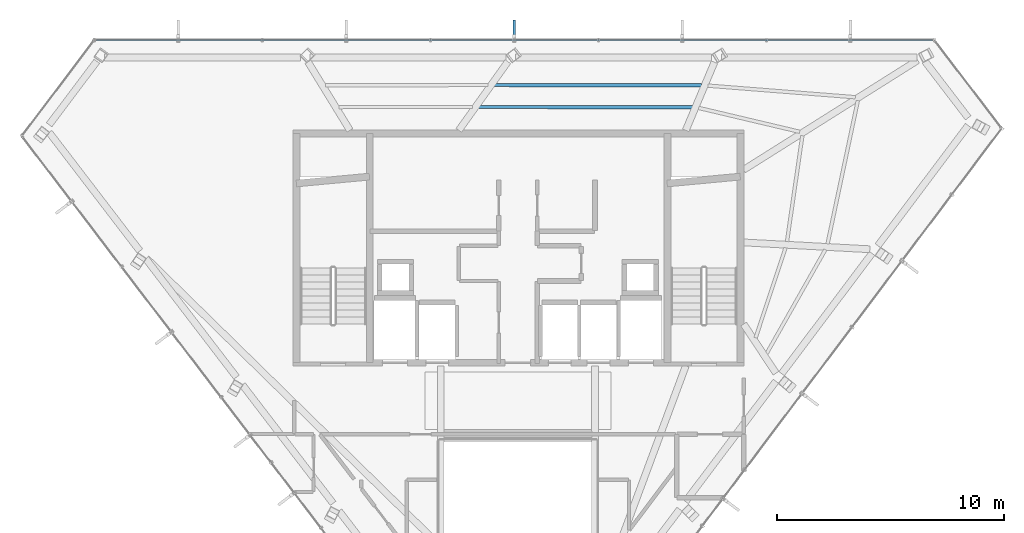
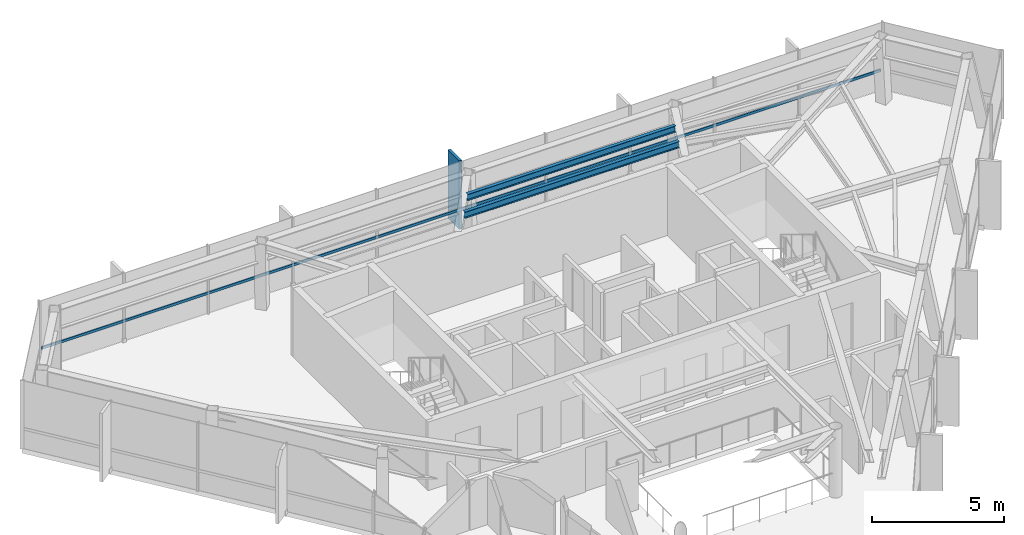
# One storey, part 13 of 22: 2 beams, 2 members, 1 element without a shape of its own.
"""IFC4 building model written with IfcOpenShell, lengths in metres."""

from ifc_helpers import new_model, si_unit, direction, frame, origin, origin_2d, place, context, subcontext, project, spatial, rectangle, hollow_rectangle, i_section, extrude, material, layer, layer_set, material_profile, profile_set, type_object, element, aggregate, save


model = new_model("IFC4")

# Units and contexts
model_context = context("Model", 3, precision=1e-05, world=origin(), true_north=direction((0.0, 1.0)))
body_context = subcontext(model_context, "Body", "Model", "MODEL_VIEW")
ifc_project = project(units=[si_unit("LENGTHUNIT", "METRE"), si_unit("AREAUNIT", "SQUARE_METRE"), si_unit("VOLUMEUNIT", "CUBIC_METRE"), si_unit("PLANEANGLEUNIT", "RADIAN"), si_unit("MASSUNIT", "GRAM", prefix="KILO")], contexts=[model_context])

# Site, building, storey
site_placement = place(None, origin())
site = spatial("IfcSite", under=ifc_project, at=site_placement, CompositionType="ELEMENT")
building_placement = place(site_placement, origin())
building = spatial("IfcBuilding", under=site, at=building_placement, Name="Zarrinselat Tower", CompositionType="ELEMENT")
storey_placement = place(building_placement, frame((0.0, 0.0, 295.800048828125)))
storey = spatial("IfcBuildingStorey", under=building, at=storey_placement, Name="L76", CompositionType="ELEMENT", Elevation=295.800048828125)

# Beams
ifc_material_1 = material(Name="Steel S355J2", Category="steel")
ifc_material_profile_1 = material_profile(ifc_material_1, i_section(OverallWidth=0.14990234375, OverallDepth=0.300048828125, WebThickness=0.007080078125, FlangeThickness=0.0107421875, at=origin_2d()), Name="IPE 300")
ifc_profile_set_1 = profile_set([ifc_material_profile_1], Name="Steel S355J2")
beam_type = type_object("IfcBeamType", Name="BM-IPE300", PredefinedType="JOIST", material=ifc_profile_set_1)
beam_1_placement = place(storey_placement, frame((37.365234375, 45.536376953125, 3.030029296875), z_axis=(0.999998534988, -0.00171173089, 0.0), x_axis=(0.00171173089, 0.999998534988, 0.0)))
element("IfcBeam", 1, at=beam_1_placement, inside=storey, type_object=beam_type, Name="L76 Composite Floor Joist 7-1", PredefinedType="JOIST", context=body_context, shape_type="SweptSolid", body=[
    extrude(i_section(OverallWidth=0.14990234375, OverallDepth=0.300048828125, WebThickness=0.007080078125, FlangeThickness=0.0107421875, at=origin_2d()), origin(), (0.0, 0.0, 1.0), 9.128173828125),
])
beam_2_placement = place(storey_placement, frame((36.67431640625, 44.568359375, 3.030029296875), z_axis=(0.999999633872, -0.000855720048, 0.0), x_axis=(0.000855720048, 0.999999633872, 0.0)))
element("IfcBeam", 2, at=beam_2_placement, inside=storey, type_object=beam_type, Name="L76 Composite Floor Joist 7-2", PredefinedType="JOIST", context=body_context, shape_type="SweptSolid", body=[
    extrude(i_section(OverallWidth=0.14990234375, OverallDepth=0.300048828125, WebThickness=0.007080078125, FlangeThickness=0.0107421875, at=origin_2d()), origin(), (0.0, 0.0, 1.0), 9.4150390625),
])

# Curtain wall, members
ifc_material_2 = material(Name="Extruded Aluminium Alloy EN AW-6063 T6", Category="aluminium")
ifc_layer = layer(ifc_material_2, 0.169921875)
ifc_layer_set = layer_set([ifc_layer], Name="Extruded Aluminium Alloy EN AW-6063 T6")
curtain_wall_type = type_object("IfcCurtainWallType", Name="CWS-RES", PredefinedType="NOTDEFINED", material=ifc_layer_set)
curtain_wall_placement = place(storey_placement, origin())
curtain_wall = element("IfcCurtainWall", 3, at=curtain_wall_placement, inside=storey, type_object=curtain_wall_type, Name="L76 Unitised Curtain Wall CW-L76-E01", PredefinedType="NOTDEFINED")
ifc_material_3 = material(Name="Extruded Aluminium Alloy EN AW-6063 T6", Category="aluminium")
ifc_material_profile_2 = material_profile(ifc_material_3, hollow_rectangle(XDim=0.06005859375, YDim=0.1201171875, WallThickness=0.00390625, at=origin_2d()), Name="RHS 120x60x4")
ifc_profile_set_2 = profile_set([ifc_material_profile_2], Name="Extruded Aluminium Alloy EN AW-6063 T6")
member_type_1 = type_object("IfcMemberType", Name="MEM-CW-TRN2", PredefinedType="USERDEFINED", material=ifc_profile_set_2)
member_1_placement = place(storey_placement, frame((56.6669921875, 47.5166015625, 0.949951171875), z_axis=(-1.0, 0.0, 0.0), x_axis=(0.0, -1.0, 0.0)))
member_1 = element("IfcMember", 4, at=member_1_placement, type_object=member_type_1, Name="CW-L76-E01 Transom 1", ObjectType="TRANSOM", PredefinedType="USERDEFINED", context=body_context, shape_type="SweptSolid", body=[
    extrude(hollow_rectangle(XDim=0.06005859375, YDim=0.1201171875, WallThickness=0.00390625, at=origin_2d()), origin(), (0.0, 0.0, 1.0), 36.845947265625),
])
ifc_material_4 = material(Name="Honed Cream Travertine Stone", Category="masonry")
ifc_material_profile_3 = material_profile(ifc_material_4, rectangle(XDim=0.1201171875, YDim=0.85009765625, at=origin_2d()), Name="FIN 850x120")
ifc_profile_set_3 = profile_set([ifc_material_profile_3], Name="Honed Cream Travertine Stone")
member_type_2 = type_object("IfcMemberType", Name="MEM-STONE-FIN", PredefinedType="USERDEFINED", material=ifc_profile_set_3)
member_2_placement = place(storey_placement, frame((38.244140625, 47.976806640625, 0.0), z_axis=(0.0, 0.0, 1.0), x_axis=(1.0, 0.0, 0.0)))
member_2 = element("IfcMember", 5, at=member_2_placement, type_object=member_type_2, Name="L76 Stone Shading Fin CW-L76-E01-05", ObjectType="FIN", PredefinedType="USERDEFINED", context=body_context, shape_type="SweptSolid", body=[
    extrude(rectangle(XDim=0.1201171875, YDim=0.85009765625, at=origin_2d()), origin(), (0.0, 0.0, 1.0), 3.179931640625),
])
aggregate(curtain_wall, [member_2, member_1])

save(model, "model.ifc")
